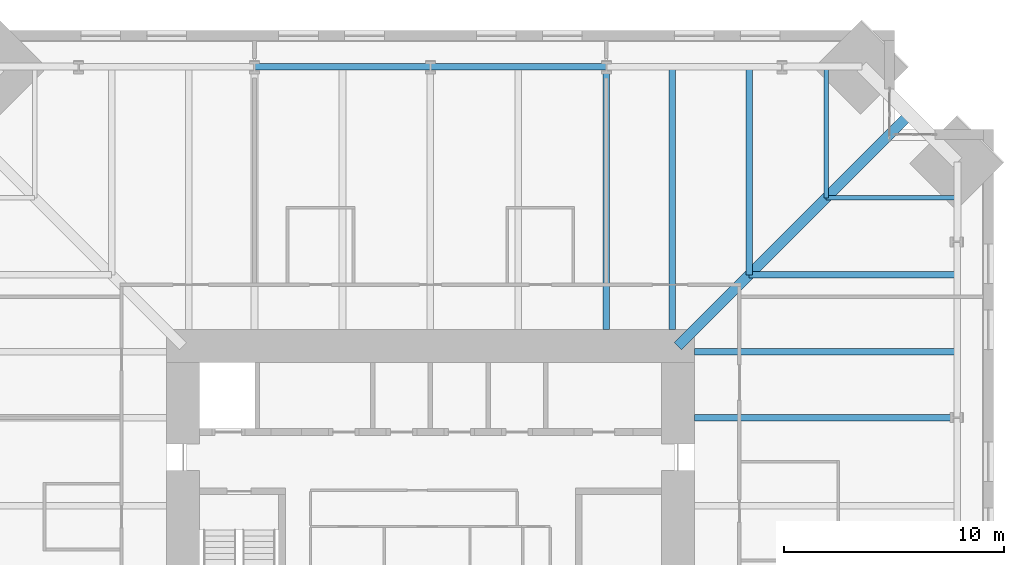
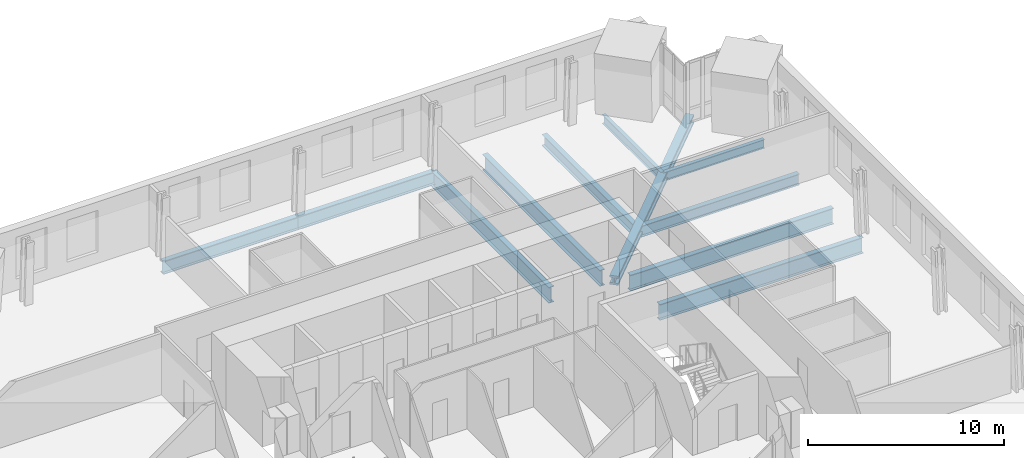
# One storey, part 9 of 18: 11 beams.
"""IFC4 building model written with IfcOpenShell, lengths in metres."""

from ifc_helpers import new_model, si_unit, direction, frame, origin, origin_2d, place, context, subcontext, project, spatial, i_section, extrude, material, material_profile, profile_set, type_object, element, save


model = new_model("IFC4")

# Units and contexts
model_context = context("Model", 3, precision=1e-05, world=origin(), true_north=direction((0.0, 1.0)))
body_context = subcontext(model_context, "Body", "Model", "MODEL_VIEW")
ifc_project = project(units=[si_unit("LENGTHUNIT", "METRE"), si_unit("AREAUNIT", "SQUARE_METRE"), si_unit("VOLUMEUNIT", "CUBIC_METRE"), si_unit("PLANEANGLEUNIT", "RADIAN"), si_unit("MASSUNIT", "GRAM", prefix="KILO")], contexts=[model_context])

# Site, building, storey
site_placement = place(None, origin())
site = spatial("IfcSite", under=ifc_project, at=site_placement, CompositionType="ELEMENT")
building_placement = place(site_placement, origin())
building = spatial("IfcBuilding", under=site, at=building_placement, Name="Peilmerk Tower", CompositionType="ELEMENT")
storey_placement = place(building_placement, frame((0.0, 0.0, 171.800048828125)))
storey = spatial("IfcBuildingStorey", under=building, at=storey_placement, Name="L36", CompositionType="ELEMENT", Elevation=171.800048828125)

# Beams
ifc_material_1 = material(Name="Steel S355", Category="steel")
ifc_material_profile_1 = material_profile(ifc_material_1, i_section(OverallWidth=0.2099609375, OverallDepth=0.550048828125, WebThickness=0.010986328125, FlangeThickness=0.01708984375, at=origin_2d()), Name="IPE 550")
ifc_profile_set_1 = profile_set([ifc_material_profile_1], Name="Steel S355")
beam_type_1 = type_object("IfcBeamType", Name="B12 IPE 550 floor beam", PredefinedType="BEAM", material=ifc_profile_set_1)
for number, where, z_axis, x_axis, name in (
    (1, (18.0, 18.0, -0.445068359375), (0.0, 1.0, 0.0), (-1.0, 0.0, 0.0), "Floor beam L36"),
    (2, (18.0, 18.0, -0.445068359375), (1.0, 0.0, 0.0), (0.0, 1.0, 0.0), "Floor beam L36"),
):
    element("IfcBeam", number, at=place(storey_placement, frame(where, z_axis=z_axis, x_axis=x_axis)), inside=storey, type_object=beam_type_1, Name=name, PredefinedType="BEAM", context=body_context, shape_type="SweptSolid", body=[
        extrude(i_section(OverallWidth=0.2099609375, OverallDepth=0.550048828125, WebThickness=0.010986328125, FlangeThickness=0.01708984375, at=origin_2d()), origin(), (0.0, 0.0, 1.0), 5.96923828125),
    ])
ifc_material_profile_2 = material_profile(ifc_material_1, i_section(OverallWidth=0.300048828125, OverallDepth=0.989990234375, WebThickness=0.0166015625, FlangeThickness=0.031005859375, at=origin_2d()), Name="HEA 1000")
ifc_profile_set_2 = profile_set([ifc_material_profile_2], Name="Steel S355")
beam_type_2 = type_object("IfcBeamType", Name="B14 HEA 1000 floor girder", PredefinedType="BEAM", material=ifc_profile_set_2)
for number, where, z_axis, x_axis, name in (
    (3, (11.0, 12.0, -0.6650390625), (0.0, 1.0, 0.0), (-1.0, 0.0, 0.0), "Floor beam L36"),
    (4, (8.0, 12.0, -0.6650390625), (0.0, 1.0, 0.0), (-1.0, 0.0, 0.0), "Floor beam L36"),
    (5, (12.0, 8.0, -0.6650390625), (1.0, 0.0, 0.0), (0.0, 1.0, 0.0), "Floor beam L36"),
    (6, (12.0, 11.0, -0.6650390625), (1.0, 0.0, 0.0), (0.0, 1.0, 0.0), "Floor beam L36"),
):
    element("IfcBeam", number, at=place(storey_placement, frame(where, z_axis=z_axis, x_axis=x_axis)), inside=storey, type_object=beam_type_2, Name=name, PredefinedType="BEAM", context=body_context, shape_type="SweptSolid", body=[
        extrude(i_section(OverallWidth=0.300048828125, OverallDepth=0.989990234375, WebThickness=0.0166015625, FlangeThickness=0.031005859375, at=origin_2d()), origin(), (0.0, 0.0, 1.0), 11.96923828125),
    ])
ifc_material_profile_3 = material_profile(ifc_material_1, i_section(OverallWidth=0.302978515625, OverallDepth=0.81396484375, WebThickness=0.02099609375, FlangeThickness=0.0400390625, at=origin_2d()), Name="HEM 800")
ifc_profile_set_3 = profile_set([ifc_material_profile_3], Name="Steel S355")
beam_type_3 = type_object("IfcBeamType", Name="B15 HEM 800 edge beam", PredefinedType="SPANDREL", material=ifc_profile_set_3)
for number, where, z_axis, x_axis, name in (
    (7, (8.0, 23.96923828125, -0.5771484375), (-1.0, 0.0, 0.0), (0.0, -1.0, 0.0), "Edge beam L36"),
    (8, (0.0, 23.96923828125, -0.5771484375), (-1.0, 0.0, 0.0), (0.0, -1.0, 0.0), "Edge beam L36"),
):
    element("IfcBeam", number, at=place(storey_placement, frame(where, z_axis=z_axis, x_axis=x_axis)), inside=storey, type_object=beam_type_3, Name=name, PredefinedType="SPANDREL", context=body_context, shape_type="SweptSolid", body=[
        extrude(i_section(OverallWidth=0.302978515625, OverallDepth=0.81396484375, WebThickness=0.02099609375, FlangeThickness=0.0400390625, at=origin_2d()), origin(), (0.0, 0.0, 1.0), 8.0),
    ])
ifc_material_profile_4 = material_profile(ifc_material_1, i_section(OverallWidth=0.300048828125, OverallDepth=0.68994140625, WebThickness=0.014404296875, FlangeThickness=0.027099609375, at=origin_2d()), Name="HEA 700")
ifc_profile_set_4 = profile_set([ifc_material_profile_4], Name="Steel S355")
beam_type_4 = type_object("IfcBeamType", Name="B16 HEA 700 floor beam", PredefinedType="BEAM", material=ifc_profile_set_4)
for number, where, z_axis, x_axis, name in (
    (9, (14.5, 14.5, -0.51513671875), (0.0, 1.0, 0.0), (-1.0, 0.0, 0.0), "Floor beam L36"),
    (10, (14.5, 14.5, -0.51513671875), (1.0, 0.0, 0.0), (0.0, 1.0, 0.0), "Floor beam L36"),
):
    element("IfcBeam", number, at=place(storey_placement, frame(where, z_axis=z_axis, x_axis=x_axis)), inside=storey, type_object=beam_type_4, Name=name, PredefinedType="BEAM", context=body_context, shape_type="SweptSolid", body=[
        extrude(i_section(OverallWidth=0.300048828125, OverallDepth=0.68994140625, WebThickness=0.014404296875, FlangeThickness=0.027099609375, at=origin_2d()), origin(), (0.0, 0.0, 1.0), 9.46923828125),
    ])
ifc_material_2 = material(Name="Steel S460", Category="steel")
ifc_material_profile_5 = material_profile(ifc_material_2, i_section(OverallWidth=0.4541015625, OverallDepth=0.569091796875, WebThickness=0.077880859375, FlangeThickness=0.125, at=origin_2d()), Name="HD 400x1086")
ifc_profile_set_5 = profile_set([ifc_material_profile_5], Name="Steel S460")
beam_type_5 = type_object("IfcBeamType", Name="B9 HD 400x1086 corner girder", PredefinedType="BEAM", material=ifc_profile_set_5)
beam_placement = place(storey_placement, frame((11.25, 11.25, -0.45458984375), z_axis=(0.707106781187, 0.707106781187, 0.0), x_axis=(-0.707106781187, 0.707106781187, 0.0)))
element("IfcBeam", 11, at=beam_placement, inside=storey, type_object=beam_type_5, Name="Corner girder L36", PredefinedType="BEAM", context=body_context, shape_type="SweptSolid", body=[
    extrude(i_section(OverallWidth=0.4541015625, OverallDepth=0.569091796875, WebThickness=0.077880859375, FlangeThickness=0.125, at=origin_2d()), origin(), (0.0, 0.0, 1.0), 14.912109375),
])

save(model, "model.ifc")
